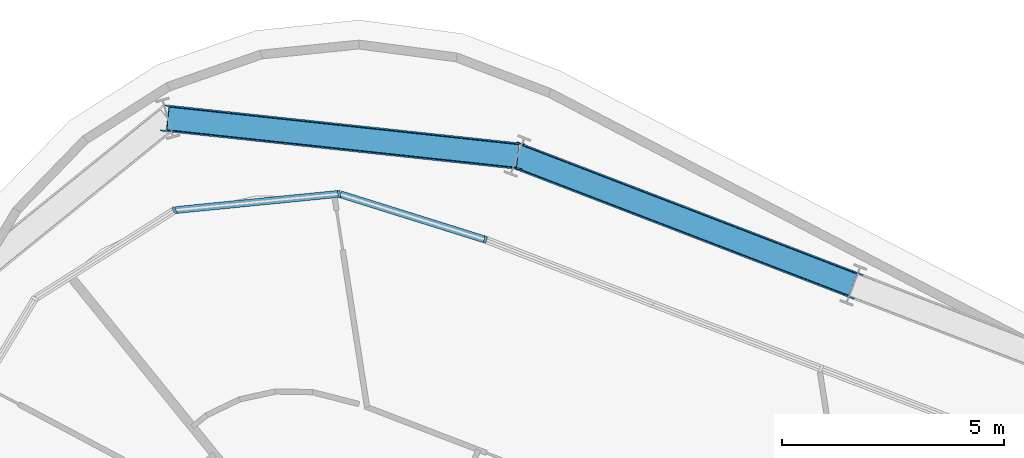
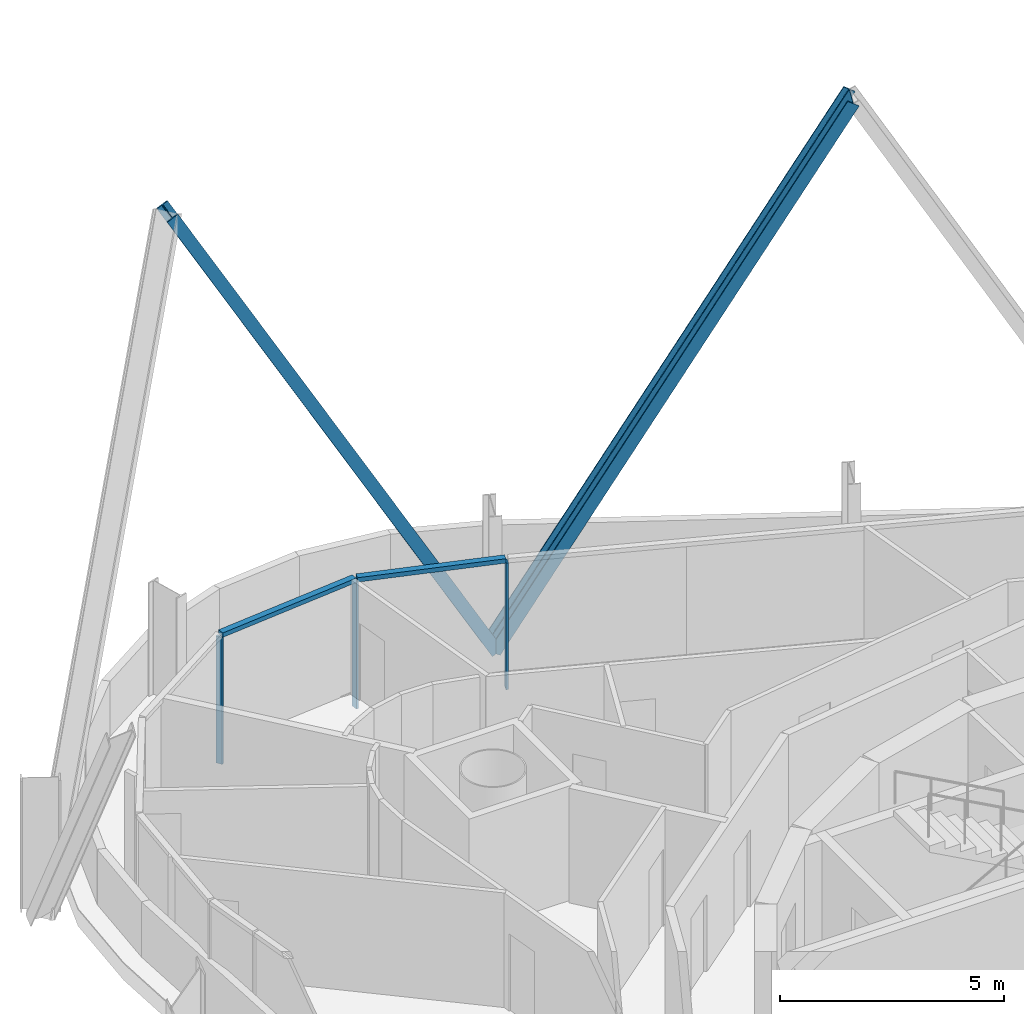
# One storey, part 8 of 19: 7 members, 1 element without a shape of its own.
"""IFC4 building model written with IfcOpenShell, lengths in metres."""

from ifc_helpers import new_model, si_unit, direction, frame, origin, origin_2d, place, context, subcontext, project, spatial, rectangle, i_section, extrude, material, layer, layer_set, material_profile, profile_set, type_object, element, aggregate, save


model = new_model("IFC4")

# Units and contexts
model_context = context("Model", 3, precision=1e-05, world=origin(), true_north=direction((0.0, 1.0)))
body_context = subcontext(model_context, "Body", "Model", "MODEL_VIEW")
ifc_project = project(units=[si_unit("LENGTHUNIT", "METRE"), si_unit("AREAUNIT", "SQUARE_METRE"), si_unit("VOLUMEUNIT", "CUBIC_METRE"), si_unit("PLANEANGLEUNIT", "RADIAN"), si_unit("MASSUNIT", "GRAM", prefix="KILO")], contexts=[model_context])

# Site, building, storey
site_placement = place(None, origin())
site = spatial("IfcSite", under=ifc_project, at=site_placement, CompositionType="ELEMENT")
building_placement = place(site_placement, origin())
building = spatial("IfcBuilding", under=site, at=building_placement, Name="Spindle Arch Residences", CompositionType="ELEMENT")
storey_placement = place(building_placement, frame((0.0, 0.0, 263.39990234375)))
storey = spatial("IfcBuildingStorey", under=building, at=storey_placement, Name="L67", CompositionType="ELEMENT", Elevation=263.39990234375)

# Curtain wall, members
ifc_material_1 = material(Name="Aluminium bronze unitised frame with tinted glass", Category="aluminium")
ifc_layer = layer(ifc_material_1, 0.159912109375)
ifc_layer_set = layer_set([ifc_layer], Name="CW-D corner wall on the fillet arcs")
curtain_wall_type = type_object("IfcCurtainWallType", Name="CW-D corner wall on the fillet arcs", PredefinedType="NOTDEFINED", material=ifc_layer_set)
curtain_wall_placement = place(storey_placement, origin())
curtain_wall = element("IfcCurtainWall", 1, at=curtain_wall_placement, inside=storey, type_object=curtain_wall_type, Name="CW-D L67 run 3", PredefinedType="NOTDEFINED")
ifc_material_2 = material(Name="Aluminium bronze anodised mullion", Category="aluminium")
ifc_material_profile_1 = material_profile(ifc_material_2, rectangle(XDim=0.159912109375, YDim=0.06005859375, at=origin_2d()), Name="MU 60x160")
ifc_profile_set_1 = profile_set([ifc_material_profile_1], Name="Aluminium bronze anodised mullion")
member_type_1 = type_object("IfcMemberType", Name="Bronze mullion 60x160", PredefinedType="MULLION", material=ifc_profile_set_1)
member_1_placement = place(storey_placement, frame((-7.577880859375, 21.73583984375, -0.449951171875), z_axis=(0.0, 0.0, 1.0), x_axis=(-0.298802665594, -0.954314920262, 0.0)))
member_1 = element("IfcMember", 2, at=member_1_placement, type_object=member_type_1, Name="CW-D mullion 00", PredefinedType="MULLION", context=body_context, shape_type="SweptSolid", body=[
    extrude(rectangle(XDim=0.159912109375, YDim=0.06005859375, at=origin_2d()), origin(), (0.0, 0.0, 1.0), 3.449951171875),
])
member_2_placement = place(storey_placement, frame((-10.874755859375, 22.768310546875, -0.449951171875), z_axis=(0.0, 0.0, 1.0), x_axis=(0.098740832762, -0.995113183485, 0.0)))
member_2 = element("IfcMember", 3, at=member_2_placement, type_object=member_type_1, Name="CW-D mullion 01", PredefinedType="MULLION", context=body_context, shape_type="SweptSolid", body=[
    extrude(rectangle(XDim=0.159912109375, YDim=0.06005859375, at=origin_2d()), origin(), (0.0, 0.0, 1.0), 3.449951171875),
])
member_3_placement = place(storey_placement, frame((-14.58349609375, 22.400390625, -0.449951171875), z_axis=(0.0, 0.0, 1.0), x_axis=(0.534844015322, -0.844950814707, 0.0)))
member_3 = element("IfcMember", 4, at=member_3_placement, type_object=member_type_1, Name="CW-D mullion 02", PredefinedType="MULLION", context=body_context, shape_type="SweptSolid", body=[
    extrude(rectangle(XDim=0.159912109375, YDim=0.06005859375, at=origin_2d()), origin(), (0.0, 0.0, 1.0), 3.449951171875),
])
ifc_material_3 = material(Name="Aluminium bronze anodised transom", Category="aluminium")
ifc_material_profile_2 = material_profile(ifc_material_3, rectangle(XDim=0.159912109375, YDim=0.1201171875, at=origin_2d()), Name="TR 120x160")
ifc_profile_set_2 = profile_set([ifc_material_profile_2], Name="Aluminium bronze anodised transom")
member_type_2 = type_object("IfcMemberType", Name="Bronze transom 120x160", PredefinedType="USERDEFINED", material=ifc_profile_set_2)
member_4_placement = place(storey_placement, frame((-7.6064453125, 21.744873046875, 3.06005859375), z_axis=(-0.95431347792, 0.298807272099, 0.0), x_axis=(-0.298807272099, -0.95431347792, 0.0)))
member_4 = element("IfcMember", 5, at=member_4_placement, type_object=member_type_2, Name="CW-D transom 00", ObjectType="TRANSOM", PredefinedType="USERDEFINED", context=body_context, shape_type="SweptSolid", body=[
    extrude(rectangle(XDim=0.159912109375, YDim=0.1201171875, at=origin_2d()), origin(), (0.0, 0.0, 1.0), 3.394775390625),
])
member_5_placement = place(storey_placement, frame((-10.90478515625, 22.765380859375, 3.06005859375), z_axis=(-0.99511271598, -0.098745544182, 0.0), x_axis=(0.098745544182, -0.99511271598, 0.0)))
member_5 = element("IfcMember", 6, at=member_5_placement, type_object=member_type_2, Name="CW-D transom 01", ObjectType="TRANSOM", PredefinedType="USERDEFINED", context=body_context, shape_type="SweptSolid", body=[
    extrude(rectangle(XDim=0.159912109375, YDim=0.1201171875, at=origin_2d()), origin(), (0.0, 0.0, 1.0), 3.66650390625),
])
aggregate(curtain_wall, [member_1, member_4, member_2, member_5, member_3])

# Members
ifc_material_4 = material(Name="Steel S460ML, intumescent coating R 240", Category="steel")
ifc_material_profile_3 = material_profile(ifc_material_4, i_section(OverallWidth=0.300048828125, OverallDepth=0.60009765625, WebThickness=0.015380859375, FlangeThickness=0.030029296875, FilletRadius=0.027099609375, at=origin_2d()), Name="HEB 600")
ifc_profile_set_3 = profile_set([ifc_material_profile_3], Name="Steel S460ML, intumescent coating R 240")
member_type_3 = type_object("IfcMemberType", Name="Diagrid diagonal HEB 600", PredefinedType="BRACE", material=ifc_profile_set_3)
member_6_placement = place(storey_placement, frame((-6.85400390625, 23.621826171875, -0.699951171875), z_axis=(0.466110302111, -0.178923933343, 0.866445273715), x_axis=(-0.808895795427, 0.310507656078, 0.499272057757)))
element("IfcMember", 7, at=member_6_placement, inside=storey, type_object=member_type_3, Name="Diagrid diagonal 7.1.8", PredefinedType="BRACE", context=body_context, shape_type="SweptSolid", body=[
    extrude(i_section(OverallWidth=0.300048828125, OverallDepth=0.60009765625, WebThickness=0.015380859375, FlangeThickness=0.030029296875, FilletRadius=0.027099609375, at=origin_2d()), origin(), (0.0, 0.0, 1.0), 16.23876953125),
])
member_7_placement = place(storey_placement, frame((-6.85400390625, 23.621826171875, -0.699951171875), z_axis=(-0.488122173912, 0.05245537143, 0.871197553568), x_axis=(0.866210228084, -0.093086079017, 0.490932605004)))
element("IfcMember", 8, at=member_7_placement, inside=storey, type_object=member_type_3, Name="Diagrid diagonal 7.1.9", PredefinedType="BRACE", context=body_context, shape_type="SweptSolid", body=[
    extrude(i_section(OverallWidth=0.300048828125, OverallDepth=0.60009765625, WebThickness=0.015380859375, FlangeThickness=0.030029296875, FilletRadius=0.027099609375, at=origin_2d()), origin(), (0.0, 0.0, 1.0), 16.150146484375),
])

save(model, "model.ifc")
